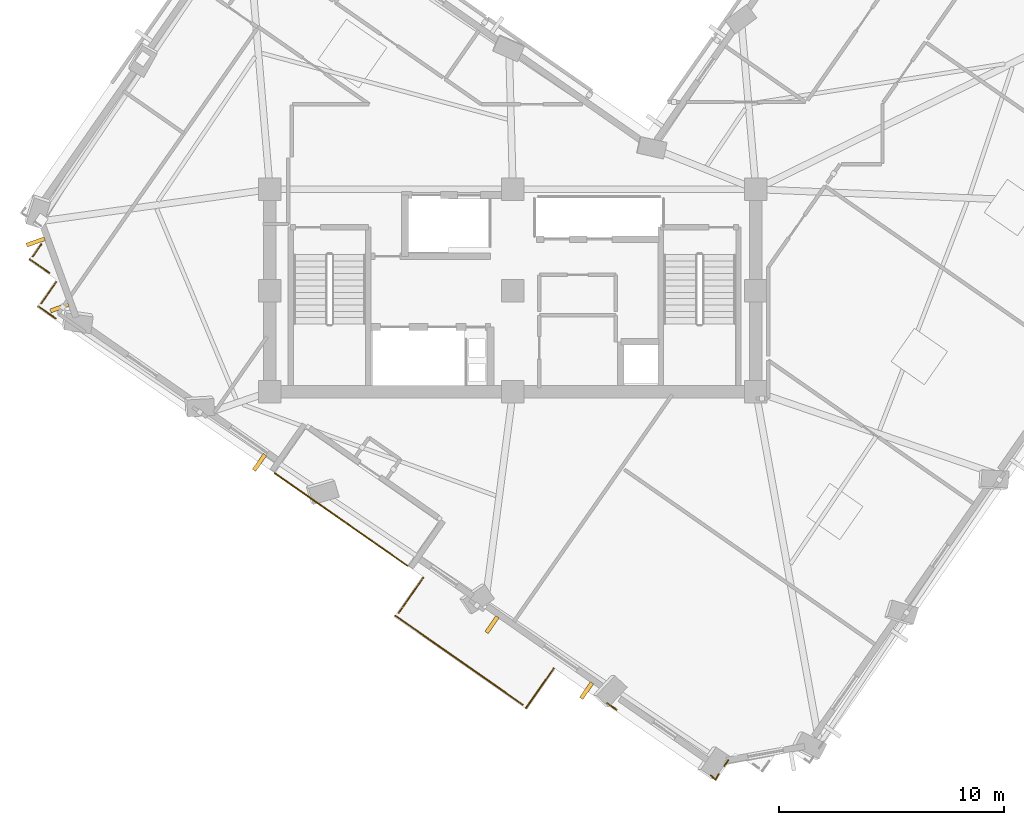
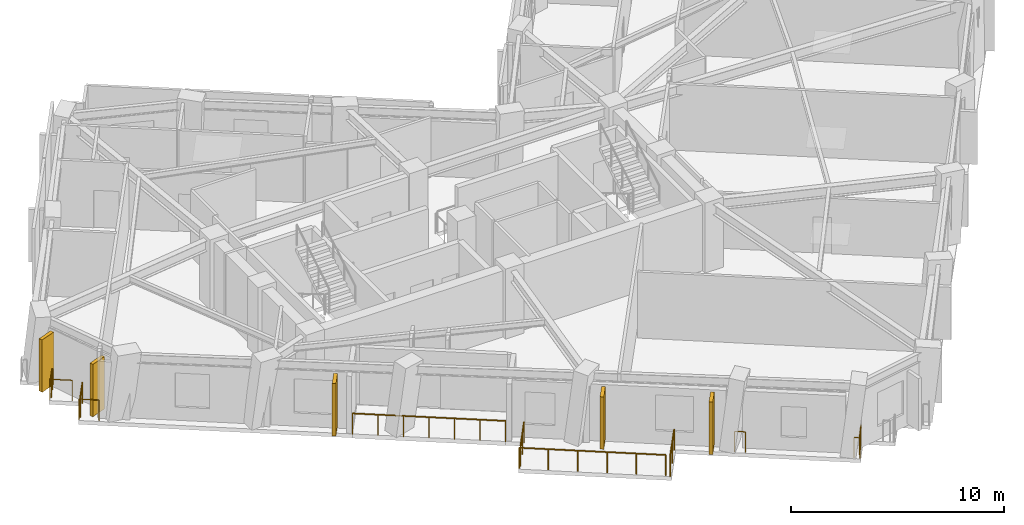
# One storey, part 8 of 12: 11 railings, 5 shading devices.
"""IFC4 building model written with IfcOpenShell, lengths in metres."""

from ifc_helpers import new_model, si_unit, direction, frame, origin, origin_2d, place, context, subcontext, project, spatial, rectangle, circle, extrude, material, layer, layer_set, type_object, element, save


model = new_model("IFC4")

# Units and contexts
model_context = context("Model", 3, precision=1e-05, world=origin(), true_north=direction((0.0, 1.0)))
body_context = subcontext(model_context, "Body", "Model", "MODEL_VIEW")
ifc_project = project(units=[si_unit("LENGTHUNIT", "METRE"), si_unit("AREAUNIT", "SQUARE_METRE"), si_unit("VOLUMEUNIT", "CUBIC_METRE"), si_unit("PLANEANGLEUNIT", "RADIAN"), si_unit("MASSUNIT", "GRAM", prefix="KILO")], contexts=[model_context])

# Site, building, storey
site_placement = place(None, origin())
site = spatial("IfcSite", under=ifc_project, at=site_placement, CompositionType="ELEMENT")
building_placement = place(site_placement, origin())
building = spatial("IfcBuilding", under=site, at=building_placement, Name="Gaonmaruhae Medical Tower", CompositionType="ELEMENT")
storey_placement = place(building_placement, frame((0.0, 0.0, 259.199951171875)))
storey = spatial("IfcBuildingStorey", under=building, at=storey_placement, Name="L62", CompositionType="ELEMENT", Elevation=259.199951171875)

# Railings
ifc_material_1 = material(Name="Stainless steel 316L and laminated safety glass", Category="steel")
ifc_layer = layer(ifc_material_1, 0.080078125)
ifc_layer_set = layer_set([ifc_layer], Name="Stainless steel 316L and laminated safety glass")
railing_type = type_object("IfcRailingType", Name="GD-120 Outdoor Terrace Safety Glass & Steel Balustrade", PredefinedType="BALUSTRADE", material=ifc_layer_set)
railing_1_placement = place(storey_placement, frame((14.21728515625, 4.181396484375, 0.0)))
element("IfcRailing", 1, at=railing_1_placement, inside=storey, type_object=railing_type, Name="L62 Terrace Safety Guard RL-SLB-L62-TER-04", PredefinedType="BALUSTRADE", context=body_context, shape_type="SweptSolid", body=[
    extrude(circle(Radius=0.02392578125, at=origin_2d()), frame((0.0, 0.0, 1.17578125), z_axis=(0.820153226932, -0.572143936744, 0.0), x_axis=(0.572143936744, 0.820153226932, 0.0)), (0.0, 0.0, 1.0), 7.199951171875),
    extrude(circle(Radius=0.02099609375, at=origin_2d()), origin(), (0.0, 0.0, 1.0), 1.15185546875),
    extrude(circle(Radius=0.02099609375, at=origin_2d()), frame((0.984130859375, -0.6865234375, 0.0)), (0.0, 0.0, 1.0), 1.15185546875),
    extrude(circle(Radius=0.02099609375, at=origin_2d()), frame((1.96826171875, -1.373046875, 0.0)), (0.0, 0.0, 1.0), 1.15185546875),
    extrude(circle(Radius=0.02099609375, at=origin_2d()), frame((2.95263671875, -2.0595703125, 0.0)), (0.0, 0.0, 1.0), 1.15185546875),
    extrude(circle(Radius=0.02099609375, at=origin_2d()), frame((3.936767578125, -2.746337890625, 0.0)), (0.0, 0.0, 1.0), 1.15185546875),
    extrude(circle(Radius=0.02099609375, at=origin_2d()), frame((4.9208984375, -3.432861328125, 0.0)), (0.0, 0.0, 1.0), 1.15185546875),
    extrude(circle(Radius=0.02099609375, at=origin_2d()), frame((5.905029296875, -4.119384765625, 0.0)), (0.0, 0.0, 1.0), 1.15185546875),
])
railing_2_placement = place(storey_placement, frame((4.191162109375, 13.090087890625, 0.0)))
element("IfcRailing", 2, at=railing_2_placement, inside=storey, type_object=railing_type, Name="L62 Perimeter Slab Edge Safety Balustrade 01", PredefinedType="BALUSTRADE", context=body_context, shape_type="SweptSolid", body=[
    extrude(circle(Radius=0.02392578125, at=origin_2d()), frame((0.0, 0.0, 1.17578125), z_axis=(-0.820064120037, 0.572271647933, 0.0), x_axis=(-0.572271647933, -0.820064120037, 0.0)), (0.0, 0.0, 1.0), 1.06005859375),
    extrude(circle(Radius=0.02099609375, at=origin_2d()), origin(), (0.0, 0.0, 1.0), 1.15185546875),
    extrude(circle(Radius=0.02099609375, at=origin_2d()), frame((-0.869384765625, 0.606689453125, 0.0)), (0.0, 0.0, 1.0), 1.15185546875),
])
railing_3_placement = place(storey_placement, frame((3.4677734375, 13.818359375, 0.0)))
element("IfcRailing", 3, at=railing_3_placement, inside=storey, type_object=railing_type, Name="L62 Perimeter Slab Edge Safety Balustrade 02", PredefinedType="BALUSTRADE", context=body_context, shape_type="SweptSolid", body=[
    extrude(circle(Radius=0.02392578125, at=origin_2d()), frame((0.0, 0.0, 1.17578125), z_axis=(0.57199638719, 0.82025613868, 0.0), x_axis=(-0.82025613868, 0.57199638719, 0.0)), (0.0, 0.0, 1.0), 0.659912109375),
    extrude(circle(Radius=0.02099609375, at=origin_2d()), origin(), (0.0, 0.0, 1.0), 1.15185546875),
    extrude(circle(Radius=0.02099609375, at=origin_2d()), frame((0.37744140625, 0.541259765625, 0.0)), (0.0, 0.0, 1.0), 1.15185546875),
])
railing_4_placement = place(storey_placement, frame((34.37939453125, -8.56689453125, 0.0)))
element("IfcRailing", 4, at=railing_4_placement, inside=storey, type_object=railing_type, Name="L62 Perimeter Slab Edge Safety Balustrade 11", PredefinedType="BALUSTRADE", context=body_context, shape_type="SweptSolid", body=[
    extrude(circle(Radius=0.02392578125, at=origin_2d()), frame((0.0, 0.0, 1.17578125), z_axis=(-0.572508895073, -0.819898509001, 0.0), x_axis=(0.819898509001, -0.572508895073, 0.0)), (0.0, 0.0, 1.0), 0.32666015625),
    extrude(circle(Radius=0.02099609375, at=origin_2d()), origin(), (0.0, 0.0, 1.0), 1.15185546875),
    extrude(circle(Radius=0.02099609375, at=origin_2d()), frame((-0.18701171875, -0.267822265625, 0.0)), (0.0, 0.0, 1.0), 1.15185546875),
])
railing_5_placement = place(storey_placement, frame((29.410400390625, -6.33203125, 0.0)))
element("IfcRailing", 5, at=railing_5_placement, inside=storey, type_object=railing_type, Name="L62 Perimeter Slab Edge Safety Balustrade 12", PredefinedType="BALUSTRADE", context=body_context, shape_type="SweptSolid", body=[
    extrude(circle(Radius=0.02392578125, at=origin_2d()), frame((0.0, 0.0, 1.17578125), z_axis=(-0.820276897351, 0.571966617621, 0.0), x_axis=(-0.571966617621, -0.820276897351, 0.0)), (0.0, 0.0, 1.0), 0.51513671875),
    extrude(circle(Radius=0.02099609375, at=origin_2d()), origin(), (0.0, 0.0, 1.0), 1.15185546875),
    extrude(circle(Radius=0.02099609375, at=origin_2d()), frame((-0.422607421875, 0.294677734375, 0.0)), (0.0, 0.0, 1.0), 1.15185546875),
])
railing_6_placement = place(storey_placement, frame((26.61474609375, -4.491455078125, 0.0)))
element("IfcRailing", 6, at=railing_6_placement, inside=storey, type_object=railing_type, Name="L62 Perimeter Slab Edge Safety Balustrade 13", PredefinedType="BALUSTRADE", context=body_context, shape_type="SweptSolid", body=[
    extrude(circle(Radius=0.02392578125, at=origin_2d()), frame((0.0, 0.0, 1.17578125), z_axis=(-0.572156843512, -0.82014422294, 0.0), x_axis=(0.82014422294, -0.572156843512, 0.0)), (0.0, 0.0, 1.0), 2.159912109375),
    extrude(circle(Radius=0.02099609375, at=origin_2d()), origin(), (0.0, 0.0, 1.0), 1.15185546875),
    extrude(circle(Radius=0.02099609375, at=origin_2d()), frame((-0.617919921875, -0.8857421875, 0.0)), (0.0, 0.0, 1.0), 1.15185546875),
    extrude(circle(Radius=0.02099609375, at=origin_2d()), frame((-1.23583984375, -1.771484375, 0.0)), (0.0, 0.0, 1.0), 1.15185546875),
])
railing_7_placement = place(storey_placement, frame((25.2353515625, -6.101806640625, 0.0)))
element("IfcRailing", 7, at=railing_7_placement, inside=storey, type_object=railing_type, Name="L62 Perimeter Slab Edge Safety Balustrade 14", PredefinedType="BALUSTRADE", context=body_context, shape_type="SweptSolid", body=[
    extrude(circle(Radius=0.02392578125, at=origin_2d()), frame((0.0, 0.0, 1.17578125), z_axis=(-0.820150122049, 0.572148387486, 0.0), x_axis=(-0.572148387486, -0.820150122049, 0.0)), (0.0, 0.0, 1.0), 6.89990234375),
    extrude(circle(Radius=0.02099609375, at=origin_2d()), origin(), (0.0, 0.0, 1.0), 1.15185546875),
    extrude(circle(Radius=0.02099609375, at=origin_2d()), frame((-1.1318359375, 0.78955078125, 0.0)), (0.0, 0.0, 1.0), 1.15185546875),
    extrude(circle(Radius=0.02099609375, at=origin_2d()), frame((-2.263671875, 1.5791015625, 0.0)), (0.0, 0.0, 1.0), 1.15185546875),
    extrude(circle(Radius=0.02099609375, at=origin_2d()), frame((-3.395263671875, 2.36865234375, 0.0)), (0.0, 0.0, 1.0), 1.15185546875),
    extrude(circle(Radius=0.02099609375, at=origin_2d()), frame((-4.527099609375, 3.158203125, 0.0)), (0.0, 0.0, 1.0), 1.15185546875),
    extrude(circle(Radius=0.02099609375, at=origin_2d()), frame((-5.658935546875, 3.94775390625, 0.0)), (0.0, 0.0, 1.0), 1.15185546875),
])
railing_8_placement = place(storey_placement, frame((19.72509765625, -2.028076171875, 0.0)))
element("IfcRailing", 8, at=railing_8_placement, inside=storey, type_object=railing_type, Name="L62 Perimeter Slab Edge Safety Balustrade 15", PredefinedType="BALUSTRADE", context=body_context, shape_type="SweptSolid", body=[
    extrude(circle(Radius=0.02392578125, at=origin_2d()), frame((0.0, 0.0, 1.17578125), z_axis=(0.572139859048, 0.820156071543, 0.0), x_axis=(-0.820156071543, 0.572139859048, 0.0)), (0.0, 0.0, 1.0), 1.92138671875),
    extrude(circle(Radius=0.02099609375, at=origin_2d()), origin(), (0.0, 0.0, 1.0), 1.15185546875),
    extrude(circle(Radius=0.02099609375, at=origin_2d()), frame((0.5498046875, 0.7880859375, 0.0)), (0.0, 0.0, 1.0), 1.15185546875),
    extrude(circle(Radius=0.02099609375, at=origin_2d()), frame((1.099365234375, 1.575927734375, 0.0)), (0.0, 0.0, 1.0), 1.15185546875),
])
railing_9_placement = place(storey_placement, frame((4.477783203125, 11.061279296875, 0.0)))
element("IfcRailing", 9, at=railing_9_placement, inside=storey, type_object=railing_type, Name="L62 Perimeter Slab Edge Safety Balustrade 16", PredefinedType="BALUSTRADE", context=body_context, shape_type="SweptSolid", body=[
    extrude(circle(Radius=0.02392578125, at=origin_2d()), frame((0.0, 0.0, 1.17578125), z_axis=(-0.820154827505, 0.572141642358, 0.0), x_axis=(-0.572141642358, -0.820154827505, 0.0)), (0.0, 0.0, 1.0), 0.955810546875),
    extrude(circle(Radius=0.02099609375, at=origin_2d()), origin(), (0.0, 0.0, 1.0), 1.15185546875),
    extrude(circle(Radius=0.02099609375, at=origin_2d()), frame((-0.783935546875, 0.546875, 0.0)), (0.0, 0.0, 1.0), 1.15185546875),
])
railing_10_placement = place(storey_placement, frame((3.839599609375, 11.72998046875, 0.0)))
element("IfcRailing", 10, at=railing_10_placement, inside=storey, type_object=railing_type, Name="L62 Perimeter Slab Edge Safety Balustrade 17", PredefinedType="BALUSTRADE", context=body_context, shape_type="SweptSolid", body=[
    extrude(circle(Radius=0.02392578125, at=origin_2d()), frame((0.0, 0.0, 1.17578125), z_axis=(0.572204638528, 0.820110877655, 0.0), x_axis=(-0.820110877655, 0.572204638528, 0.0)), (0.0, 0.0, 1.0), 1.16015625),
    extrude(circle(Radius=0.02099609375, at=origin_2d()), origin(), (0.0, 0.0, 1.0), 1.15185546875),
    extrude(circle(Radius=0.02099609375, at=origin_2d()), frame((0.663818359375, 0.951416015625, 0.0)), (0.0, 0.0, 1.0), 1.15185546875),
])
railing_11_placement = place(storey_placement, frame((33.944580078125, -9.190185546875, 0.0)))
element("IfcRailing", 11, at=railing_11_placement, inside=storey, type_object=railing_type, Name="L62 Perimeter Corner Safety Balustrade 20", PredefinedType="BALUSTRADE", context=body_context, shape_type="SweptSolid", body=[
    extrude(circle(Radius=0.02392578125, at=origin_2d()), frame((0.0, 0.0, 1.17578125), z_axis=(-0.467497136589, -0.88399458555, 0.0), x_axis=(0.88399458555, -0.467497136589, 0.0)), (0.0, 0.0, 1.0), 0.287109375),
    extrude(circle(Radius=0.02392578125, at=origin_2d()), frame((-0.13427734375, -0.25390625, 1.17578125), z_axis=(-0.744307258258, 0.667837334464, 0.0), x_axis=(-0.667837334464, -0.744307258258, 0.0)), (0.0, 0.0, 1.0), 0.287353515625),
    extrude(circle(Radius=0.02099609375, at=origin_2d()), origin(), (0.0, 0.0, 1.0), 1.15185546875),
    extrude(circle(Radius=0.02099609375, at=origin_2d()), frame((-0.13427734375, -0.25390625, 0.0)), (0.0, 0.0, 1.0), 1.15185546875),
    extrude(circle(Radius=0.02099609375, at=origin_2d()), frame((-0.34814453125, -0.06201171875, 0.0)), (0.0, 0.0, 1.0), 1.15185546875),
])

# Shading devices
ifc_material_2 = material(Name="Pigmented coral precast concrete C45/55", Category="concrete")
shading_device_type = type_object("IfcShadingDeviceType", Name="SD-FIN1 Tower Vertical Coral Precast Shading Fin", PredefinedType="USERDEFINED", material=ifc_material_2)
for number, where, z_axis, x_axis, name in (
    (12, (4.647705078125, 11.539306640625, 0.132568359375), (0.0, 0.0, 1.0), (-0.340084133194, 0.940395013997, 0.0), "L62 Vertical Coral Precast Shading Fin N03"),
    (13, (3.5908203125, 14.4619140625, 0.132568359375), (0.0, 0.0, 1.0), (-0.340084133194, 0.940395013997, 0.0), "L62 Vertical Coral Precast Shading Fin N03B"),
    (14, (13.539306640625, 4.660400390625, 0.12255859375), (0.0, 0.0, 1.0), (-0.82014188992, 0.572160187709, 0.0), "L62 Vertical Coral Precast Shading Fin W02"),
    (15, (28.077392578125, -5.481201171875, 0.12255859375), (0.0, 0.0, 1.0), (-0.820151875874, 0.572145873446, 0.0), "L62 Vertical Coral Precast Shading Fin W04"),
    (16, (23.8740234375, -2.549072265625, 0.12255859375), (0.0, 0.0, 1.0), (-0.820151875874, 0.572145873446, 0.0), "L62 Vertical Coral Precast Shading Fin W04B"),
):
    element("IfcShadingDevice", number, at=place(storey_placement, frame(where, z_axis=z_axis, x_axis=x_axis)), inside=storey, type_object=shading_device_type, Name=name, ObjectType="FIN", PredefinedType="USERDEFINED", context=body_context, shape_type="SweptSolid", body=[
        extrude(rectangle(XDim=0.179931640625, YDim=0.85009765625, at=origin_2d()), origin(), (0.0, 0.0, 1.0), 3.0),
    ])

save(model, "model.ifc")
